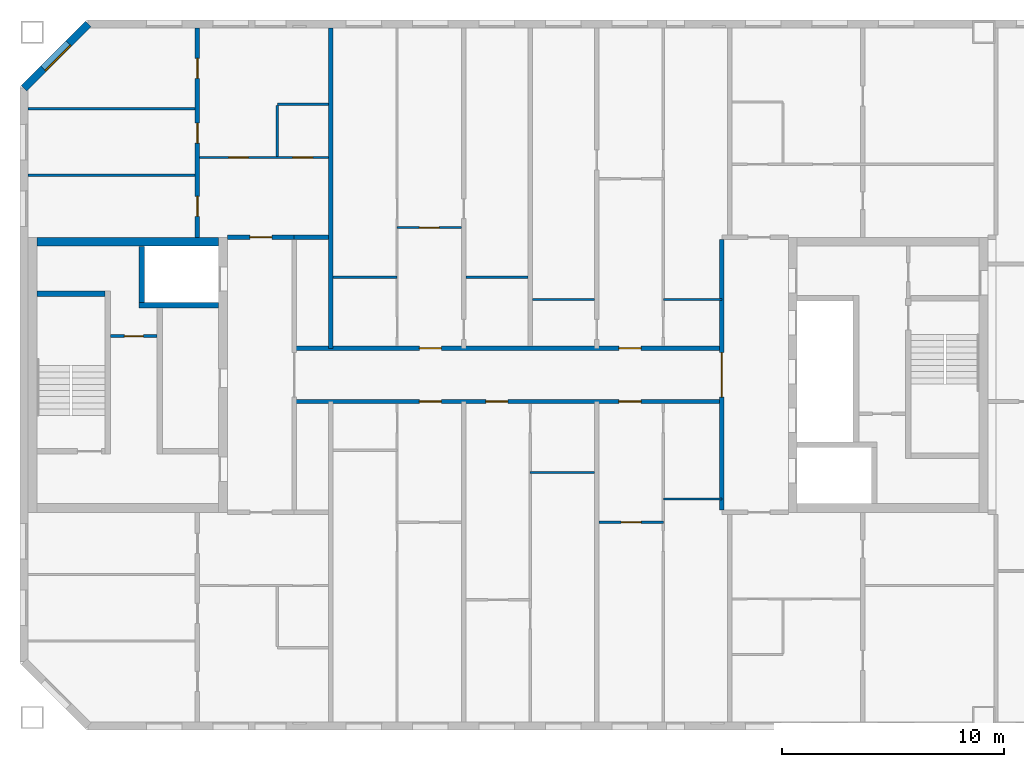
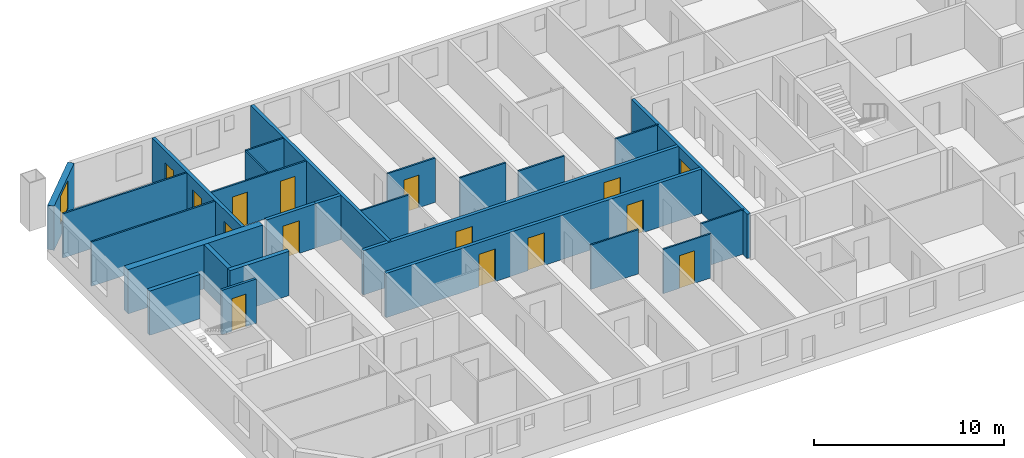
# One storey, part 6 of 19: 26 walls, 15 doors, 1 window, 16 openings.
"""IFC4 building model written with IfcOpenShell, lengths in metres."""

from ifc_helpers import new_model, si_unit, direction, frame, frame_2d, origin, place, context, subcontext, project, spatial, rectangle, extrude, material, layer, layer_set, type_object, element, fill, save


model = new_model("IFC4")

# Units and contexts
model_context = context("Model", 3, precision=1e-05, world=origin(), true_north=direction((0.0, 1.0)))
body_context = subcontext(model_context, "Body", "Model", "MODEL_VIEW")
ifc_project = project(units=[si_unit("LENGTHUNIT", "METRE"), si_unit("AREAUNIT", "SQUARE_METRE"), si_unit("VOLUMEUNIT", "CUBIC_METRE"), si_unit("PLANEANGLEUNIT", "RADIAN"), si_unit("MASSUNIT", "GRAM", prefix="KILO")], contexts=[model_context])

# Site, building, storey
site_placement = place(None, origin())
site = spatial("IfcSite", under=ifc_project, at=site_placement, CompositionType="ELEMENT")
building_placement = place(site_placement, origin())
building = spatial("IfcBuilding", under=site, at=building_placement, Name="Tuart Gate Housing", CompositionType="ELEMENT")
storey_placement = place(building_placement, frame((0.0, 0.0, 221.39990234375)))
storey = spatial("IfcBuildingStorey", under=building, at=storey_placement, Name="L62", CompositionType="ELEMENT", Elevation=221.39990234375)

# Wall, opening, window
ifc_material_1 = material(Name="Brick", Category="masonry")
ifc_layer_1 = layer(ifc_material_1, 0.360107421875)
ifc_layer_set_1 = layer_set([ifc_layer_1], Name="Brick pier and spandrel wall 360")
wall_type_1 = type_object("IfcWallType", Name="Brick pier and spandrel wall 360", PredefinedType="STANDARD", material=ifc_layer_set_1)
wall_1_placement = place(storey_placement, frame((35.07470703125, 85.820068359375, 0.0), z_axis=(0.0, 0.0, 1.0), x_axis=(-0.707106781187, -0.707106781187, 0.0)))
wall_1 = element("IfcWall", 1, at=wall_1_placement, inside=storey, type_object=wall_type_1, Name="External wall BLK-NW L62", PredefinedType="STANDARD", context=body_context, shape_type="SweptSolid", body=[
    extrude(rectangle(XDim=4.09375, YDim=0.360107421875, at=frame_2d((2.046875, 0.0))), origin(), (0.0, 0.0, 1.0), 2.85009765625),
])
opening_1_placement = place(wall_1_placement, frame((1.2470703125, 0.0, 0.800048828125)))
opening_1 = element("IfcOpeningElement", 2, at=opening_1_placement, cuts=wall_1, Name="Opening W1", PredefinedType="OPENING", context=body_context, shape_type="SweptSolid", body=[
    extrude(rectangle(XDim=1.60009765625, YDim=1.800048828125, at=frame_2d((0.800048828125, 0.89990234375))), frame((0.0, 0.18994140625, 0.0), z_axis=(0.0, -1.0, 0.0), x_axis=(1.0, 0.0, 0.0)), (0.0, 0.0, 1.0), 0.380126953125),
])
ifc_material_2 = material(Name="Aluminium frame with clear glass", Category="aluminium")
window_type = type_object("IfcWindowType", Name="Punched window 1600 x 1800", PartitioningType="SINGLE_PANEL", PredefinedType="WINDOW", material=ifc_material_2)
window_placement = place(opening_1_placement, origin())
window = element("IfcWindow", 3, at=window_placement, inside=storey, type_object=window_type, Name="Window W1", OverallHeight=1.800048828125, OverallWidth=1.60009765625, PartitioningType="SINGLE_PANEL", PredefinedType="WINDOW", context=body_context, shape_type="SweptSolid", body=[
    extrude(rectangle(XDim=1.60009765625, YDim=1.800048828125, at=frame_2d((0.800048828125, 0.89990234375))), frame((0.0, 0.150146484375, 0.0), z_axis=(0.0, -1.0, 0.0), x_axis=(1.0, 0.0, 0.0)), (0.0, 0.0, 1.0), 0.06005859375),
])
fill(opening_1, window)

# Wall, opening, door
ifc_material_3 = material(Name="Plasterboard partition")
ifc_layer_2 = layer(ifc_material_3, 0.14990234375)
ifc_layer_set_2 = layer_set([ifc_layer_2], Name="Core partition 150")
wall_type_2 = type_object("IfcWallType", Name="Core partition 150", PredefinedType="PARTITIONING", material=ifc_layer_set_2)
wall_2_placement = place(storey_placement, frame((38.18505859375, 71.75, 0.0), z_axis=(0.0, 0.0, 1.0), x_axis=(-1.0, 0.0, 0.0)))
wall_2 = element("IfcWall", 4, at=wall_2_placement, inside=storey, type_object=wall_type_2, Name="Core partition AK.3", PredefinedType="PARTITIONING", context=body_context, shape_type="SweptSolid", body=[
    extrude(rectangle(XDim=2.10009765625, YDim=0.14990234375, at=frame_2d((1.050048828125, 0.0))), origin(), (0.0, 0.0, 1.0), 2.85009765625),
])
opening_2_placement = place(wall_2_placement, frame((0.625, 0.0, 0.0)))
opening_2 = element("IfcOpeningElement", 5, at=opening_2_placement, cuts=wall_2, Name="Opening D2298", PredefinedType="OPENING", context=body_context, shape_type="SweptSolid", body=[
    extrude(rectangle(XDim=0.85009765625, YDim=2.10009765625, at=frame_2d((0.425048828125, 1.050048828125))), frame((0.0, 0.0849609375, 0.0), z_axis=(0.0, -1.0, 0.0), x_axis=(1.0, 0.0, 0.0)), (0.0, 0.0, 1.0), 0.169921875),
])
ifc_material_4 = material(Name="Steel fire door", Category="steel")
door_type_1 = type_object("IfcDoorType", Name="Riser door 850 x 2100 RH", OperationType="SINGLE_SWING_RIGHT", PredefinedType="DOOR", material=ifc_material_4)
door_1_placement = place(opening_2_placement, frame((0.85009765625, 0.0, 0.0), z_axis=(0.0, 0.0, 1.0), x_axis=(-1.0, 0.0, 0.0)))
door_1 = element("IfcDoor", 6, at=door_1_placement, inside=storey, type_object=door_type_1, Name="Service room door AK.E1", OperationType="SINGLE_SWING_RIGHT", OverallHeight=2.10009765625, OverallWidth=0.85009765625, PredefinedType="DOOR", context=body_context, shape_type="SweptSolid", body=[
    extrude(rectangle(XDim=0.85009765625, YDim=2.10009765625, at=frame_2d((0.425048828125, 1.050048828125))), frame((0.0, 0.025146484375, 0.0), z_axis=(0.0, -1.0, 0.0), x_axis=(1.0, 0.0, 0.0)), (0.0, 0.0, 1.0), 0.050048828125),
])
fill(opening_2, door_1)

# Walls
ifc_material_5 = material(Name="Concrete C40", Category="concrete")
ifc_layer_3 = layer(ifc_material_5, 0.25)
ifc_layer_set_3 = layer_set([ifc_layer_3], Name="Core wall 250 C40")
wall_type_3 = type_object("IfcWallType", Name="Core wall 250 C40", PredefinedType="SHEAR", material=ifc_layer_set_3)
wall_3_placement = place(storey_placement, frame((35.8349609375, 73.64990234375, 0.0), z_axis=(0.0, 0.0, 1.0), x_axis=(-1.0, 0.0, 0.0)))
element("IfcWall", 7, at=wall_3_placement, inside=storey, type_object=wall_type_3, Name="Core wall AK.1", PredefinedType="SHEAR", context=body_context, shape_type="SweptSolid", body=[
    extrude(rectangle(XDim=3.074951171875, YDim=0.25, at=frame_2d((1.53759765625, 0.0))), origin(), (0.0, 0.0, 1.0), 2.85009765625),
])
wall_4_placement = place(storey_placement, frame((40.9599609375, 73.14990234375, 0.0), z_axis=(0.0, 0.0, 1.0), x_axis=(-1.0, 0.0, 0.0)))
element("IfcWall", 8, at=wall_4_placement, inside=storey, type_object=wall_type_3, Name="Core wall AK.2", PredefinedType="SHEAR", context=body_context, shape_type="SweptSolid", body=[
    extrude(rectangle(XDim=3.594970703125, YDim=0.25, at=frame_2d((1.79736328125, 0.0))), origin(), (0.0, 0.0, 1.0), 2.85009765625),
])
wall_5_placement = place(storey_placement, frame((37.489990234375, 75.800048828125, 0.0), z_axis=(0.0, 0.0, 1.0), x_axis=(0.0, -1.0, 0.0)))
element("IfcWall", 9, at=wall_5_placement, inside=storey, type_object=wall_type_3, Name="Core wall AK.7", PredefinedType="SHEAR", context=body_context, shape_type="SweptSolid", body=[
    extrude(rectangle(XDim=2.525146484375, YDim=0.25, at=frame_2d((1.2626953125, 0.0))), origin(), (0.0, 0.0, 1.0), 2.85009765625),
])
ifc_material_6 = material(Name="Concrete C40", Category="concrete")
ifc_layer_4 = layer(ifc_material_6, 0.39990234375)
ifc_layer_set_4 = layer_set([ifc_layer_4], Name="Core wall 400 C40")
wall_type_4 = type_object("IfcWallType", Name="Core wall 400 C40", PredefinedType="SHEAR", material=ifc_layer_set_4)
wall_6_placement = place(storey_placement, frame((40.9599609375, 76.0, 0.0), z_axis=(0.0, 0.0, 1.0), x_axis=(-1.0, 0.0, 0.0)))
element("IfcWall", 10, at=wall_6_placement, inside=storey, type_object=wall_type_4, Name="Core wall AK south", PredefinedType="SHEAR", context=body_context, shape_type="SweptSolid", body=[
    extrude(rectangle(XDim=8.199951171875, YDim=0.39990234375, at=frame_2d((4.10009765625, 0.0))), origin(), (0.0, 0.0, 1.0), 2.85009765625),
])

# Wall, openings, doors
ifc_material_7 = material(Name="Concrete masonry 15 MPa", Category="masonry")
ifc_layer_5 = layer(ifc_material_7, 0.199951171875)
ifc_layer_set_5 = layer_set([ifc_layer_5], Name="Corridor wall masonry 200")
wall_type_5 = type_object("IfcWallType", Name="Corridor wall masonry 200", PredefinedType="PARTITIONING", material=ifc_layer_set_5)
wall_7_placement = place(storey_placement, frame((44.360107421875, 68.800048828125, 0.0), z_axis=(0.0, 0.0, 1.0), x_axis=(1.0, 0.0, 0.0)))
wall_7 = element("IfcWall", 11, at=wall_7_placement, inside=storey, type_object=wall_type_5, Name="Corridor wall masonry 200", PredefinedType="PARTITIONING", context=body_context, shape_type="SweptSolid", body=[
    extrude(rectangle(XDim=19.27978515625, YDim=0.199951171875, at=frame_2d((9.639892578125, 0.0))), origin(), (0.0, 0.0, 1.0), 2.85009765625),
])
opening_3_placement = place(wall_7_placement, frame((14.639892578125, 0.0, 0.0)))
opening_3 = element("IfcOpeningElement", 12, at=opening_3_placement, cuts=wall_7, Name="Opening D2308", PredefinedType="OPENING", context=body_context, shape_type="SweptSolid", body=[
    extrude(rectangle(XDim=1.0, YDim=2.10009765625, at=frame_2d((0.5, 1.050048828125))), frame((0.0, 0.10986328125, 0.0), z_axis=(0.0, -1.0, 0.0), x_axis=(1.0, 0.0, 0.0)), (0.0, 0.0, 1.0), 0.219970703125),
])
opening_4_placement = place(wall_7_placement, frame((8.639892578125, 0.0, 0.0)))
opening_4 = element("IfcOpeningElement", 13, at=opening_4_placement, cuts=wall_7, Name="Opening D2309", PredefinedType="OPENING", context=body_context, shape_type="SweptSolid", body=[
    extrude(rectangle(XDim=1.0, YDim=2.10009765625, at=frame_2d((0.5, 1.050048828125))), frame((0.0, 0.10986328125, 0.0), z_axis=(0.0, -1.0, 0.0), x_axis=(1.0, 0.0, 0.0)), (0.0, 0.0, 1.0), 0.219970703125),
])
opening_5_placement = place(wall_7_placement, frame((5.639892578125, 0.0, 0.0)))
opening_5 = element("IfcOpeningElement", 14, at=opening_5_placement, cuts=wall_7, Name="Opening D2310", PredefinedType="OPENING", context=body_context, shape_type="SweptSolid", body=[
    extrude(rectangle(XDim=1.0, YDim=2.10009765625, at=frame_2d((0.5, 1.050048828125))), frame((0.0, 0.10986328125, 0.0), z_axis=(0.0, -1.0, 0.0), x_axis=(1.0, 0.0, 0.0)), (0.0, 0.0, 1.0), 0.219970703125),
])
ifc_material_8 = material(Name="Timber door leaf in steel frame", Category="steel")
door_type_2 = type_object("IfcDoorType", Name="Flat entrance door 1000 RH", OperationType="SINGLE_SWING_RIGHT", PredefinedType="DOOR", material=ifc_material_8)
door_2_placement = place(opening_3_placement, frame((1.0, 0.0, 0.0), z_axis=(0.0, 0.0, 1.0), x_axis=(-1.0, 0.0, 0.0)))
door_2 = element("IfcDoor", 15, at=door_2_placement, inside=storey, type_object=door_type_2, Name="Flat entrance door", OperationType="SINGLE_SWING_RIGHT", OverallHeight=2.10009765625, OverallWidth=1.0, PredefinedType="DOOR", context=body_context, shape_type="SweptSolid", body=[
    extrude(rectangle(XDim=1.0, YDim=2.10009765625, at=frame_2d((0.5, 1.050048828125))), frame((0.0, 0.025146484375, 0.0), z_axis=(0.0, -1.0, 0.0), x_axis=(1.0, 0.0, 0.0)), (0.0, 0.0, 1.0), 0.050048828125),
])
fill(opening_3, door_2)
door_3_placement = place(opening_4_placement, frame((1.0, 0.0, 0.0), z_axis=(0.0, 0.0, 1.0), x_axis=(-1.0, 0.0, 0.0)))
door_3 = element("IfcDoor", 16, at=door_3_placement, inside=storey, type_object=door_type_2, Name="Flat entrance door", OperationType="SINGLE_SWING_RIGHT", OverallHeight=2.10009765625, OverallWidth=1.0, PredefinedType="DOOR", context=body_context, shape_type="SweptSolid", body=[
    extrude(rectangle(XDim=1.0, YDim=2.10009765625, at=frame_2d((0.5, 1.050048828125))), frame((0.0, 0.025146484375, 0.0), z_axis=(0.0, -1.0, 0.0), x_axis=(1.0, 0.0, 0.0)), (0.0, 0.0, 1.0), 0.050048828125),
])
fill(opening_4, door_3)
door_4_placement = place(opening_5_placement, frame((1.0, 0.0, 0.0), z_axis=(0.0, 0.0, 1.0), x_axis=(-1.0, 0.0, 0.0)))
door_4 = element("IfcDoor", 17, at=door_4_placement, inside=storey, type_object=door_type_2, Name="Flat entrance door", OperationType="SINGLE_SWING_RIGHT", OverallHeight=2.10009765625, OverallWidth=1.0, PredefinedType="DOOR", context=body_context, shape_type="SweptSolid", body=[
    extrude(rectangle(XDim=1.0, YDim=2.10009765625, at=frame_2d((0.5, 1.050048828125))), frame((0.0, 0.025146484375, 0.0), z_axis=(0.0, -1.0, 0.0), x_axis=(1.0, 0.0, 0.0)), (0.0, 0.0, 1.0), 0.050048828125),
])
fill(opening_5, door_4)

wall_8_placement = place(storey_placement, frame((44.360107421875, 71.199951171875, 0.0), z_axis=(0.0, 0.0, 1.0), x_axis=(1.0, 0.0, 0.0)))
wall_8 = element("IfcWall", 18, at=wall_8_placement, inside=storey, type_object=wall_type_5, Name="Corridor wall masonry 200", PredefinedType="PARTITIONING", context=body_context, shape_type="SweptSolid", body=[
    extrude(rectangle(XDim=19.27978515625, YDim=0.199951171875, at=frame_2d((9.639892578125, 0.0))), origin(), (0.0, 0.0, 1.0), 2.85009765625),
])
opening_6_placement = place(wall_8_placement, frame((14.639892578125, 0.0, 0.0)))
opening_6 = element("IfcOpeningElement", 19, at=opening_6_placement, cuts=wall_8, Name="Opening D2299", PredefinedType="OPENING", context=body_context, shape_type="SweptSolid", body=[
    extrude(rectangle(XDim=1.0, YDim=2.10009765625, at=frame_2d((0.5, 1.050048828125))), frame((0.0, 0.10986328125, 0.0), z_axis=(0.0, -1.0, 0.0), x_axis=(1.0, 0.0, 0.0)), (0.0, 0.0, 1.0), 0.219970703125),
])
opening_7_placement = place(wall_8_placement, frame((5.639892578125, 0.0, 0.0)))
opening_7 = element("IfcOpeningElement", 20, at=opening_7_placement, cuts=wall_8, Name="Opening D2300", PredefinedType="OPENING", context=body_context, shape_type="SweptSolid", body=[
    extrude(rectangle(XDim=1.0, YDim=2.10009765625, at=frame_2d((0.5, 1.050048828125))), frame((0.0, 0.10986328125, 0.0), z_axis=(0.0, -1.0, 0.0), x_axis=(1.0, 0.0, 0.0)), (0.0, 0.0, 1.0), 0.219970703125),
])
ifc_material_9 = material(Name="Timber door leaf in steel frame", Category="steel")
door_type_3 = type_object("IfcDoorType", Name="Flat entrance door 1000", OperationType="SINGLE_SWING_LEFT", PredefinedType="DOOR", material=ifc_material_9)
door_5_placement = place(opening_6_placement, origin())
door_5 = element("IfcDoor", 21, at=door_5_placement, inside=storey, type_object=door_type_3, Name="Flat entrance door", OperationType="SINGLE_SWING_LEFT", OverallHeight=2.10009765625, OverallWidth=1.0, PredefinedType="DOOR", context=body_context, shape_type="SweptSolid", body=[
    extrude(rectangle(XDim=1.0, YDim=2.10009765625, at=frame_2d((0.5, 1.050048828125))), frame((0.0, 0.02490234375, 0.0), z_axis=(0.0, -1.0, 0.0), x_axis=(1.0, 0.0, 0.0)), (0.0, 0.0, 1.0), 0.050048828125),
])
fill(opening_6, door_5)
door_6_placement = place(opening_7_placement, origin())
door_6 = element("IfcDoor", 22, at=door_6_placement, inside=storey, type_object=door_type_3, Name="Flat entrance door", OperationType="SINGLE_SWING_LEFT", OverallHeight=2.10009765625, OverallWidth=1.0, PredefinedType="DOOR", context=body_context, shape_type="SweptSolid", body=[
    extrude(rectangle(XDim=1.0, YDim=2.10009765625, at=frame_2d((0.5, 1.050048828125))), frame((0.0, 0.02490234375, 0.0), z_axis=(0.0, -1.0, 0.0), x_axis=(1.0, 0.0, 0.0)), (0.0, 0.0, 1.0), 0.050048828125),
])
fill(opening_7, door_6)

# Wall, opening, door
ifc_material_10 = material(Name="Concrete masonry 15 MPa", Category="masonry")
ifc_layer_6 = layer(ifc_material_10, 0.199951171875)
ifc_layer_set_6 = layer_set([ifc_layer_6], Name="Enclosure wall masonry 200")
wall_type_6 = type_object("IfcWallType", Name="Enclosure wall masonry 200", PredefinedType="PARTITIONING", material=ifc_layer_set_6)
wall_9_placement = place(storey_placement, frame((41.360107421875, 76.199951171875, 0.0), z_axis=(0.0, 0.0, 1.0), x_axis=(1.0, 0.0, 0.0)))
wall_9 = element("IfcWall", 23, at=wall_9_placement, inside=storey, type_object=wall_type_6, Name="Enclosure wall masonry 200", PredefinedType="PARTITIONING", context=body_context, shape_type="SweptSolid", body=[
    extrude(rectangle(XDim=3.0, YDim=0.199951171875, at=frame_2d((1.5, 0.0))), origin(), (0.0, 0.0, 1.0), 2.85009765625),
])
opening_8_placement = place(wall_9_placement, frame((1.0, 0.0, 0.0)))
opening_8 = element("IfcOpeningElement", 24, at=opening_8_placement, cuts=wall_9, Name="Opening D2295", PredefinedType="OPENING", context=body_context, shape_type="SweptSolid", body=[
    extrude(rectangle(XDim=1.0, YDim=2.10009765625, at=frame_2d((0.5, 1.050048828125))), frame((0.0, 0.10986328125, 0.0), z_axis=(0.0, -1.0, 0.0), x_axis=(1.0, 0.0, 0.0)), (0.0, 0.0, 1.0), 0.219970703125),
])
door_7_placement = place(opening_8_placement, origin())
door_7 = element("IfcDoor", 25, at=door_7_placement, inside=storey, type_object=door_type_3, Name="Flat entrance door", OperationType="SINGLE_SWING_LEFT", OverallHeight=2.10009765625, OverallWidth=1.0, PredefinedType="DOOR", context=body_context, shape_type="SweptSolid", body=[
    extrude(rectangle(XDim=1.0, YDim=2.10009765625, at=frame_2d((0.5, 1.050048828125))), frame((0.0, 0.02490234375, 0.0), z_axis=(0.0, -1.0, 0.0), x_axis=(1.0, 0.0, 0.0)), (0.0, 0.0, 1.0), 0.050048828125),
])
fill(opening_8, door_7)

ifc_material_11 = material(Name="Plasterboard partition")
ifc_layer_7 = layer(ifc_material_11, 0.199951171875)
ifc_layer_set_7 = layer_set([ifc_layer_7], Name="Lobby wall 200")
wall_type_7 = type_object("IfcWallType", Name="Lobby wall 200", PredefinedType="PARTITIONING", material=ifc_layer_set_7)
wall_10_placement = place(storey_placement, frame((63.639892578125, 63.89990234375, 0.0), z_axis=(0.0, 0.0, 1.0), x_axis=(0.0, 1.0, 0.0)))
wall_10 = element("IfcWall", 26, at=wall_10_placement, inside=storey, type_object=wall_type_7, Name="Lift lobby wall AG", PredefinedType="PARTITIONING", context=body_context, shape_type="SweptSolid", body=[
    extrude(rectangle(XDim=12.2001953125, YDim=0.199951171875, at=frame_2d((6.10009765625, 0.0))), origin(), (0.0, 0.0, 1.0), 2.85009765625),
])
opening_9_placement = place(wall_10_placement, frame((5.10009765625, 0.0, 0.0)))
opening_9 = element("IfcOpeningElement", 27, at=opening_9_placement, cuts=wall_10, Name="Opening D2304", PredefinedType="OPENING", context=body_context, shape_type="SweptSolid", body=[
    extrude(rectangle(XDim=2.0, YDim=2.10009765625, at=frame_2d((1.0, 1.050048828125))), frame((0.0, 0.10986328125, 0.0), z_axis=(0.0, -1.0, 0.0), x_axis=(1.0, 0.0, 0.0)), (0.0, 0.0, 1.0), 0.219970703125),
])
ifc_material_12 = material(Name="Steel fire door", Category="steel")
door_type_4 = type_object("IfcDoorType", Name="Smoke door 2000 x 2100", OperationType="DOUBLE_DOOR_SINGLE_SWING", PredefinedType="DOOR", material=ifc_material_12)
door_8_placement = place(opening_9_placement, frame((2.0, 0.0, 0.0), z_axis=(0.0, 0.0, 1.0), x_axis=(-1.0, 0.0, 0.0)))
door_8 = element("IfcDoor", 28, at=door_8_placement, inside=storey, type_object=door_type_4, Name="Lift lobby smoke door AG", OperationType="DOUBLE_DOOR_SINGLE_SWING", OverallHeight=2.10009765625, OverallWidth=2.0, PredefinedType="DOOR", context=body_context, shape_type="SweptSolid", body=[
    extrude(rectangle(XDim=2.0, YDim=2.10009765625, at=frame_2d((1.0, 1.050048828125))), frame((0.0, 0.025146484375, 0.0), z_axis=(0.0, -1.0, 0.0), x_axis=(1.0, 0.0, 0.0)), (0.0, 0.0, 1.0), 0.050048828125),
])
fill(opening_9, door_8)

ifc_material_13 = material(Name="Gypsum board on steel studs", Category="steel")
ifc_layer_8 = layer(ifc_material_13, 0.10009765625)
ifc_layer_set_8 = layer_set([ifc_layer_8], Name="Partition 100")
wall_type_8 = type_object("IfcWallType", Name="Partition 100", PredefinedType="PARTITIONING", material=ifc_layer_set_8)
wall_11_placement = place(storey_placement, frame((58.10009765625, 63.360107421875, 0.0), z_axis=(0.0, 0.0, 1.0), x_axis=(1.0, 0.0, 0.0)))
wall_11 = element("IfcWall", 29, at=wall_11_placement, inside=storey, type_object=wall_type_8, Name="Partition 100", PredefinedType="PARTITIONING", context=body_context, shape_type="SweptSolid", body=[
    extrude(rectangle(XDim=2.89990234375, YDim=0.10009765625, at=frame_2d((1.449951171875, 0.0))), origin(), (0.0, 0.0, 1.0), 2.85009765625),
])
opening_10_placement = place(wall_11_placement, frame((1.0, 0.0, 0.0)))
opening_10 = element("IfcOpeningElement", 30, at=opening_10_placement, cuts=wall_11, Name="Opening D2316", PredefinedType="OPENING", context=body_context, shape_type="SweptSolid", body=[
    extrude(rectangle(XDim=0.89990234375, YDim=2.10009765625, at=frame_2d((0.449951171875, 1.050048828125))), frame((0.0, 0.06005859375, 0.0), z_axis=(0.0, -1.0, 0.0), x_axis=(1.0, 0.0, 0.0)), (0.0, 0.0, 1.0), 0.1201171875),
])
ifc_material_14 = material(Name="Timber door leaf in steel frame", Category="steel")
door_type_5 = type_object("IfcDoorType", Name="Internal door 900 RH", OperationType="SINGLE_SWING_RIGHT", PredefinedType="DOOR", material=ifc_material_14)
door_9_placement = place(opening_10_placement, origin())
door_9 = element("IfcDoor", 31, at=door_9_placement, inside=storey, type_object=door_type_5, Name="Internal door", OperationType="SINGLE_SWING_RIGHT", OverallHeight=2.10009765625, OverallWidth=0.89990234375, PredefinedType="DOOR", context=body_context, shape_type="SweptSolid", body=[
    extrude(rectangle(XDim=0.89990234375, YDim=2.10009765625, at=frame_2d((0.449951171875, 1.050048828125))), frame((0.0, 0.02490234375, 0.0), z_axis=(0.0, -1.0, 0.0), x_axis=(1.0, 0.0, 0.0)), (0.0, 0.0, 1.0), 0.050048828125),
])
fill(opening_10, door_9)

# Walls
wall_12_placement = place(storey_placement, frame((61.0, 64.39990234375, 0.0), z_axis=(0.0, 0.0, 1.0), x_axis=(1.0, 0.0, 0.0)))
element("IfcWall", 32, at=wall_12_placement, inside=storey, type_object=wall_type_8, Name="Partition 100", PredefinedType="PARTITIONING", context=body_context, shape_type="SweptSolid", body=[
    extrude(rectangle(XDim=2.639892578125, YDim=0.10009765625, at=frame_2d((1.31982421875, 0.0))), origin(), (0.0, 0.0, 1.0), 2.85009765625),
])
wall_13_placement = place(storey_placement, frame((55.0, 65.60009765625, 0.0), z_axis=(0.0, 0.0, 1.0), x_axis=(1.0, 0.0, 0.0)))
element("IfcWall", 33, at=wall_13_placement, inside=storey, type_object=wall_type_8, Name="Partition 100", PredefinedType="PARTITIONING", context=body_context, shape_type="SweptSolid", body=[
    extrude(rectangle(XDim=2.89990234375, YDim=0.10009765625, at=frame_2d((1.449951171875, 0.0))), origin(), (0.0, 0.0, 1.0), 2.85009765625),
])
wall_14_placement = place(storey_placement, frame((55.10009765625, 73.39990234375, 0.0), z_axis=(0.0, 0.0, 1.0), x_axis=(1.0, 0.0, 0.0)))
element("IfcWall", 34, at=wall_14_placement, inside=storey, type_object=wall_type_8, Name="Partition 100", PredefinedType="PARTITIONING", context=body_context, shape_type="SweptSolid", body=[
    extrude(rectangle(XDim=2.7998046875, YDim=0.10009765625, at=frame_2d((1.39990234375, 0.0))), origin(), (0.0, 0.0, 1.0), 2.85009765625),
])
wall_15_placement = place(storey_placement, frame((61.0, 73.39990234375, 0.0), z_axis=(0.0, 0.0, 1.0), x_axis=(1.0, 0.0, 0.0)))
element("IfcWall", 35, at=wall_15_placement, inside=storey, type_object=wall_type_8, Name="Partition 100", PredefinedType="PARTITIONING", context=body_context, shape_type="SweptSolid", body=[
    extrude(rectangle(XDim=2.639892578125, YDim=0.10009765625, at=frame_2d((1.31982421875, 0.0))), origin(), (0.0, 0.0, 1.0), 2.85009765625),
])
wall_16_placement = place(storey_placement, frame((46.10009765625, 74.39990234375, 0.0), z_axis=(0.0, 0.0, 1.0), x_axis=(1.0, 0.0, 0.0)))
element("IfcWall", 36, at=wall_16_placement, inside=storey, type_object=wall_type_8, Name="Partition 100", PredefinedType="PARTITIONING", context=body_context, shape_type="SweptSolid", body=[
    extrude(rectangle(XDim=2.89990234375, YDim=0.10009765625, at=frame_2d((1.449951171875, 0.0))), origin(), (0.0, 0.0, 1.0), 2.85009765625),
])
wall_17_placement = place(storey_placement, frame((52.10009765625, 74.39990234375, 0.0), z_axis=(0.0, 0.0, 1.0), x_axis=(1.0, 0.0, 0.0)))
element("IfcWall", 37, at=wall_17_placement, inside=storey, type_object=wall_type_8, Name="Partition 100", PredefinedType="PARTITIONING", context=body_context, shape_type="SweptSolid", body=[
    extrude(rectangle(XDim=2.7998046875, YDim=0.10009765625, at=frame_2d((1.39990234375, 0.0))), origin(), (0.0, 0.0, 1.0), 2.85009765625),
])

# Wall, opening, door
wall_18_placement = place(storey_placement, frame((49.0, 76.639892578125, 0.0), z_axis=(0.0, 0.0, 1.0), x_axis=(1.0, 0.0, 0.0)))
wall_18 = element("IfcWall", 38, at=wall_18_placement, inside=storey, type_object=wall_type_8, Name="Partition 100", PredefinedType="PARTITIONING", context=body_context, shape_type="SweptSolid", body=[
    extrude(rectangle(XDim=2.89990234375, YDim=0.10009765625, at=frame_2d((1.449951171875, 0.0))), origin(), (0.0, 0.0, 1.0), 2.85009765625),
])
opening_11_placement = place(wall_18_placement, frame((1.0, 0.0, 0.0)))
opening_11 = element("IfcOpeningElement", 39, at=opening_11_placement, cuts=wall_18, Name="Opening D2294", PredefinedType="OPENING", context=body_context, shape_type="SweptSolid", body=[
    extrude(rectangle(XDim=0.89990234375, YDim=2.10009765625, at=frame_2d((0.449951171875, 1.050048828125))), frame((0.0, 0.06005859375, 0.0), z_axis=(0.0, -1.0, 0.0), x_axis=(1.0, 0.0, 0.0)), (0.0, 0.0, 1.0), 0.1201171875),
])
door_10_placement = place(opening_11_placement, frame((0.89990234375, 0.0, 0.0), z_axis=(0.0, 0.0, 1.0), x_axis=(-1.0, 0.0, 0.0)))
door_10 = element("IfcDoor", 40, at=door_10_placement, inside=storey, type_object=door_type_5, Name="Internal door", OperationType="SINGLE_SWING_RIGHT", OverallHeight=2.10009765625, OverallWidth=0.89990234375, PredefinedType="DOOR", context=body_context, shape_type="SweptSolid", body=[
    extrude(rectangle(XDim=0.89990234375, YDim=2.10009765625, at=frame_2d((0.449951171875, 1.050048828125))), frame((0.0, 0.025146484375, 0.0), z_axis=(0.0, -1.0, 0.0), x_axis=(1.0, 0.0, 0.0)), (0.0, 0.0, 1.0), 0.050048828125),
])
fill(opening_11, door_10)

# Wall
wall_19_placement = place(storey_placement, frame((32.360107421875, 79.0, 0.0), z_axis=(0.0, 0.0, 1.0), x_axis=(1.0, 0.0, 0.0)))
element("IfcWall", 41, at=wall_19_placement, inside=storey, type_object=wall_type_8, Name="Partition 100", PredefinedType="PARTITIONING", context=body_context, shape_type="SweptSolid", body=[
    extrude(rectangle(XDim=7.539794921875, YDim=0.10009765625, at=frame_2d((3.77001953125, 0.0))), origin(), (0.0, 0.0, 1.0), 2.85009765625),
])

# Wall, openings, doors
wall_20_placement = place(storey_placement, frame((40.10009765625, 79.800048828125, 0.0), z_axis=(0.0, 0.0, 1.0), x_axis=(1.0, 0.0, 0.0)))
wall_20 = element("IfcWall", 42, at=wall_20_placement, inside=storey, type_object=wall_type_8, Name="Partition 100", PredefinedType="PARTITIONING", context=body_context, shape_type="SweptSolid", body=[
    extrude(rectangle(XDim=5.7998046875, YDim=0.10009765625, at=frame_2d((2.89990234375, 0.0))), origin(), (0.0, 0.0, 1.0), 2.85009765625),
])
opening_12_placement = place(wall_20_placement, frame((1.300048828125, 0.0, 0.0)))
opening_12 = element("IfcOpeningElement", 43, at=opening_12_placement, cuts=wall_20, Name="Opening D2282", PredefinedType="OPENING", context=body_context, shape_type="SweptSolid", body=[
    extrude(rectangle(XDim=0.89990234375, YDim=2.10009765625, at=frame_2d((0.449951171875, 1.050048828125))), frame((0.0, 0.06005859375, 0.0), z_axis=(0.0, -1.0, 0.0), x_axis=(1.0, 0.0, 0.0)), (0.0, 0.0, 1.0), 0.1201171875),
])
opening_13_placement = place(wall_20_placement, frame((4.199951171875, 0.0, 0.0)))
opening_13 = element("IfcOpeningElement", 44, at=opening_13_placement, cuts=wall_20, Name="Opening D2281", PredefinedType="OPENING", context=body_context, shape_type="SweptSolid", body=[
    extrude(rectangle(XDim=0.89990234375, YDim=2.10009765625, at=frame_2d((0.449951171875, 1.050048828125))), frame((0.0, 0.06005859375, 0.0), z_axis=(0.0, -1.0, 0.0), x_axis=(1.0, 0.0, 0.0)), (0.0, 0.0, 1.0), 0.1201171875),
])
ifc_material_15 = material(Name="Timber door leaf in steel frame", Category="steel")
door_type_6 = type_object("IfcDoorType", Name="Bathroom door 900", OperationType="SINGLE_SWING_LEFT", PredefinedType="DOOR", material=ifc_material_15)
door_11_placement = place(opening_13_placement, origin())
door_11 = element("IfcDoor", 45, at=door_11_placement, inside=storey, type_object=door_type_6, Name="Bathroom door", OperationType="SINGLE_SWING_LEFT", OverallHeight=2.10009765625, OverallWidth=0.89990234375, PredefinedType="DOOR", context=body_context, shape_type="SweptSolid", body=[
    extrude(rectangle(XDim=0.89990234375, YDim=2.10009765625, at=frame_2d((0.449951171875, 1.050048828125))), frame((0.0, 0.02490234375, 0.0), z_axis=(0.0, -1.0, 0.0), x_axis=(1.0, 0.0, 0.0)), (0.0, 0.0, 1.0), 0.050048828125),
])
fill(opening_13, door_11)
door_12_placement = place(opening_12_placement, frame((0.89990234375, 0.0, 0.0), z_axis=(0.0, 0.0, 1.0), x_axis=(-1.0, 0.0, 0.0)))
door_12 = element("IfcDoor", 46, at=door_12_placement, inside=storey, type_object=door_type_5, Name="Internal door", OperationType="SINGLE_SWING_RIGHT", OverallHeight=2.10009765625, OverallWidth=0.89990234375, PredefinedType="DOOR", context=body_context, shape_type="SweptSolid", body=[
    extrude(rectangle(XDim=0.89990234375, YDim=2.10009765625, at=frame_2d((0.449951171875, 1.050048828125))), frame((0.0, 0.025146484375, 0.0), z_axis=(0.0, -1.0, 0.0), x_axis=(1.0, 0.0, 0.0)), (0.0, 0.0, 1.0), 0.050048828125),
])
fill(opening_12, door_12)

# Walls
wall_21_placement = place(storey_placement, frame((32.360107421875, 82.0, 0.0), z_axis=(0.0, 0.0, 1.0), x_axis=(1.0, 0.0, 0.0)))
element("IfcWall", 47, at=wall_21_placement, inside=storey, type_object=wall_type_8, Name="Partition 100", PredefinedType="PARTITIONING", context=body_context, shape_type="SweptSolid", body=[
    extrude(rectangle(XDim=7.539794921875, YDim=0.10009765625, at=frame_2d((3.77001953125, 0.0))), origin(), (0.0, 0.0, 1.0), 2.85009765625),
])
for number, where, z_axis, x_axis, name in (
    (48, (43.60009765625, 82.199951171875, 0.0), (0.0, 0.0, 1.0), (1.0, 0.0, 0.0), "Partition 100"),
    (49, (43.60009765625, 79.85009765625, 0.0), (0.0, 0.0, 1.0), (0.0, 1.0, 0.0), "Partition 100"),
):
    element("IfcWall", number, at=place(storey_placement, frame(where, z_axis=z_axis, x_axis=x_axis)), inside=storey, type_object=wall_type_8, Name=name, PredefinedType="PARTITIONING", context=body_context, shape_type="SweptSolid", body=[
        extrude(rectangle(XDim=2.2998046875, YDim=0.10009765625, at=frame_2d((1.14990234375, 0.0))), origin(), (0.0, 0.0, 1.0), 2.85009765625),
    ])

# Wall, openings, doors
ifc_material_16 = material(Name="Concrete C40", Category="concrete")
ifc_layer_9 = layer(ifc_material_16, 0.199951171875)
ifc_layer_set_9 = layer_set([ifc_layer_9], Name="Party wall concrete C40 200")
wall_type_9 = type_object("IfcWallType", Name="Party wall concrete C40 200", PredefinedType="SOLIDWALL", material=ifc_layer_set_9)
wall_22_placement = place(storey_placement, frame((40.0, 76.199951171875, 0.0), z_axis=(0.0, 0.0, 1.0), x_axis=(0.0, 1.0, 0.0)))
wall_22 = element("IfcWall", 50, at=wall_22_placement, inside=storey, type_object=wall_type_9, Name="Party wall concrete C40 200", PredefinedType="SOLIDWALL", context=body_context, shape_type="SweptSolid", body=[
    extrude(rectangle(XDim=9.43994140625, YDim=0.199951171875, at=frame_2d((4.719970703125, 0.0))), origin(), (0.0, 0.0, 1.0), 2.85009765625),
])
opening_14_placement = place(wall_22_placement, frame((7.169921875, 0.0, 0.0)))
opening_14 = element("IfcOpeningElement", 51, at=opening_14_placement, cuts=wall_22, Name="Opening D2276", PredefinedType="OPENING", context=body_context, shape_type="SweptSolid", body=[
    extrude(rectangle(XDim=0.89990234375, YDim=2.10009765625, at=frame_2d((0.449951171875, 1.050048828125))), frame((0.0, 0.10986328125, 0.0), z_axis=(0.0, -1.0, 0.0), x_axis=(1.0, 0.0, 0.0)), (0.0, 0.0, 1.0), 0.219970703125),
])
opening_15_placement = place(wall_22_placement, frame((4.25, 0.0, 0.0)))
opening_15 = element("IfcOpeningElement", 52, at=opening_15_placement, cuts=wall_22, Name="Opening D2277", PredefinedType="OPENING", context=body_context, shape_type="SweptSolid", body=[
    extrude(rectangle(XDim=0.89990234375, YDim=2.10009765625, at=frame_2d((0.449951171875, 1.050048828125))), frame((0.0, 0.10986328125, 0.0), z_axis=(0.0, -1.0, 0.0), x_axis=(1.0, 0.0, 0.0)), (0.0, 0.0, 1.0), 0.219970703125),
])
opening_16_placement = place(wall_22_placement, frame((0.949951171875, 0.0, 0.0)))
opening_16 = element("IfcOpeningElement", 53, at=opening_16_placement, cuts=wall_22, Name="Opening D2278", PredefinedType="OPENING", context=body_context, shape_type="SweptSolid", body=[
    extrude(rectangle(XDim=0.89990234375, YDim=2.10009765625, at=frame_2d((0.449951171875, 1.050048828125))), frame((0.0, 0.10986328125, 0.0), z_axis=(0.0, -1.0, 0.0), x_axis=(1.0, 0.0, 0.0)), (0.0, 0.0, 1.0), 0.219970703125),
])
ifc_material_17 = material(Name="Timber door leaf in steel frame", Category="steel")
door_type_7 = type_object("IfcDoorType", Name="Internal door 900", OperationType="SINGLE_SWING_LEFT", PredefinedType="DOOR", material=ifc_material_17)
door_13_placement = place(opening_14_placement, origin())
door_13 = element("IfcDoor", 54, at=door_13_placement, inside=storey, type_object=door_type_7, Name="Internal door", OperationType="SINGLE_SWING_LEFT", OverallHeight=2.10009765625, OverallWidth=0.89990234375, PredefinedType="DOOR", context=body_context, shape_type="SweptSolid", body=[
    extrude(rectangle(XDim=0.89990234375, YDim=2.10009765625, at=frame_2d((0.449951171875, 1.050048828125))), frame((0.0, 0.02490234375, 0.0), z_axis=(0.0, -1.0, 0.0), x_axis=(1.0, 0.0, 0.0)), (0.0, 0.0, 1.0), 0.050048828125),
])
fill(opening_14, door_13)
door_14_placement = place(opening_16_placement, origin())
door_14 = element("IfcDoor", 55, at=door_14_placement, inside=storey, type_object=door_type_7, Name="Internal door", OperationType="SINGLE_SWING_LEFT", OverallHeight=2.10009765625, OverallWidth=0.89990234375, PredefinedType="DOOR", context=body_context, shape_type="SweptSolid", body=[
    extrude(rectangle(XDim=0.89990234375, YDim=2.10009765625, at=frame_2d((0.449951171875, 1.050048828125))), frame((0.0, 0.02490234375, 0.0), z_axis=(0.0, -1.0, 0.0), x_axis=(1.0, 0.0, 0.0)), (0.0, 0.0, 1.0), 0.050048828125),
])
fill(opening_16, door_14)
door_15_placement = place(opening_15_placement, origin())
door_15 = element("IfcDoor", 56, at=door_15_placement, inside=storey, type_object=door_type_5, Name="Internal door", OperationType="SINGLE_SWING_RIGHT", OverallHeight=2.10009765625, OverallWidth=0.89990234375, PredefinedType="DOOR", context=body_context, shape_type="SweptSolid", body=[
    extrude(rectangle(XDim=0.89990234375, YDim=2.10009765625, at=frame_2d((0.449951171875, 1.050048828125))), frame((0.0, 0.02490234375, 0.0), z_axis=(0.0, -1.0, 0.0), x_axis=(1.0, 0.0, 0.0)), (0.0, 0.0, 1.0), 0.050048828125),
])
fill(opening_15, door_15)

# Walls
wall_23_placement = place(storey_placement, frame((46.0, 71.199951171875, 0.0), z_axis=(0.0, 0.0, 1.0), x_axis=(0.0, 1.0, 0.0)))
element("IfcWall", 57, at=wall_23_placement, inside=storey, type_object=wall_type_9, Name="Party wall concrete C40 200", PredefinedType="SOLIDWALL", context=body_context, shape_type="SweptSolid", body=[
    extrude(rectangle(XDim=14.43994140625, YDim=0.199951171875, at=frame_2d((7.219970703125, 0.0))), origin(), (0.0, 0.0, 1.0), 2.85009765625),
])
ifc_material_18 = material(Name="Concrete masonry 15 MPa", Category="masonry")
ifc_layer_10 = layer(ifc_material_18, 0.199951171875)
ifc_layer_set_10 = layer_set([ifc_layer_10], Name="Party wall masonry 200")
wall_type_10 = type_object("IfcWallType", Name="Party wall masonry 200", PredefinedType="PARTITIONING", material=ifc_layer_set_10)
wall_24_placement = place(storey_placement, frame((44.360107421875, 76.199951171875, 0.0), z_axis=(0.0, 0.0, 1.0), x_axis=(1.0, 0.0, 0.0)))
element("IfcWall", 58, at=wall_24_placement, inside=storey, type_object=wall_type_10, Name="Party wall masonry 200", PredefinedType="PARTITIONING", context=body_context, shape_type="SweptSolid", body=[
    extrude(rectangle(XDim=1.539794921875, YDim=0.199951171875, at=frame_2d((0.77001953125, 0.0))), origin(), (0.0, 0.0, 1.0), 2.85009765625),
])

save(model, "model.ifc")
